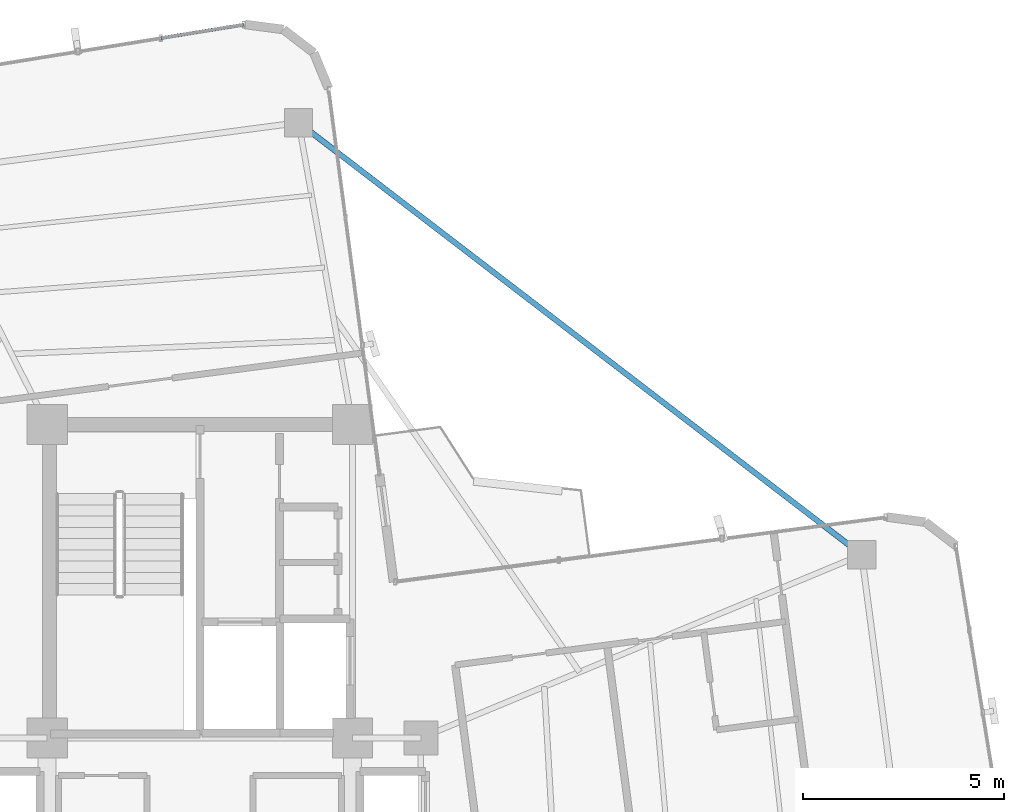
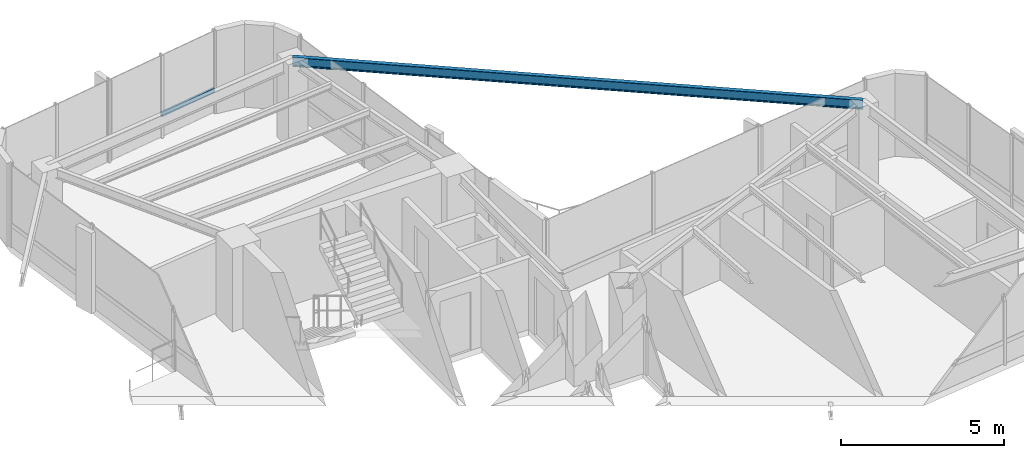
# One storey, part 15 of 22: 1 beam, 1 member, 1 element without a shape of its own.
"""IFC4 building model written with IfcOpenShell, lengths in metres."""

from ifc_helpers import new_model, si_unit, direction, frame, origin, origin_2d, place, context, subcontext, project, spatial, hollow_rectangle, i_section, extrude, source, transform, mapped, material, material_profile, profile_set, type_object, element, aggregate, save


model = new_model("IFC4")

# Units and contexts
model_context = context("Model", 3, precision=1e-05, world=origin(), true_north=direction((0.0, 1.0)))
body_context = subcontext(model_context, "Body", "Model", "MODEL_VIEW")
ifc_project = project(units=[si_unit("LENGTHUNIT", "METRE"), si_unit("AREAUNIT", "SQUARE_METRE"), si_unit("VOLUMEUNIT", "CUBIC_METRE"), si_unit("PLANEANGLEUNIT", "RADIAN"), si_unit("MASSUNIT", "GRAM", prefix="KILO")], contexts=[model_context])

# Site, building, storey
site_placement = place(None, origin())
site = spatial("IfcSite", under=ifc_project, at=site_placement, CompositionType="ELEMENT")
building_placement = place(site_placement, origin())
building = spatial("IfcBuilding", under=site, at=building_placement, Name="Sahyath Konkavel Grand Hotel", CompositionType="ELEMENT")
storey_placement = place(building_placement, frame((0.0, 0.0, 269.10009765625)))
storey = spatial("IfcBuildingStorey", under=building, at=storey_placement, Name="L75", CompositionType="ELEMENT", Elevation=269.10009765625)

# Beam
ifc_material_1 = material(Name="Steel E350", Category="steel")
ifc_material_profile_1 = material_profile(ifc_material_1, i_section(OverallWidth=0.139892578125, OverallDepth=0.35009765625, WebThickness=0.008056640625, FlangeThickness=0.01416015625, FilletRadius=0.013916015625, at=origin_2d()), Name="ISMB 350")
ifc_profile_set_1 = profile_set([ifc_material_profile_1], Name="Steel E350")
beam_type = type_object("IfcBeamType", Name="BM-ISMB350", PredefinedType="BEAM", material=ifc_profile_set_1)
shared_shape_1 = source(origin(), body_context, "Body", "SweptSolid", [
    extrude(i_section(OverallWidth=0.139892578125, OverallDepth=0.35009765625, WebThickness=0.008056640625, FlangeThickness=0.01416015625, FilletRadius=0.013916015625, at=origin_2d()), origin(), (0.0, 0.0, 1.0), 17.663330078125),
])
beam_placement = place(storey_placement, frame((16.472412109375, 6.959716796875, 2.934814453125), z_axis=(-0.793358692504, 0.608754453805, 0.0), x_axis=(-0.608754453805, -0.793358692504, 0.0)))
element("IfcBeam", 1, at=beam_placement, inside=storey, type_object=beam_type, Name="L75 Re-Entrant Tie Beam NE", PredefinedType="BEAM", context=body_context, shape_type="MappedRepresentation", body=[
    mapped(shared_shape_1, transform((0.0, 0.0, 0.0), scale=1.0)),
])

# Curtain wall, member
ifc_material_2 = material(Name="Anodised Bronze Aluminium & Low-E Glazing", Category="aluminium")
curtain_wall_type = type_object("IfcCurtainWallType", Name="CW-ZONE4", PredefinedType="NOTDEFINED", material=ifc_material_2)
curtain_wall_placement = place(storey_placement, origin())
curtain_wall = element("IfcCurtainWall", 2, at=curtain_wall_placement, inside=storey, type_object=curtain_wall_type, Name="L75 Unitised Curtain Wall F12", PredefinedType="NOTDEFINED")
ifc_material_3 = material(Name="Anodised Bronze Aluminium", Category="aluminium")
ifc_material_profile_2 = material_profile(ifc_material_3, hollow_rectangle(XDim=0.080078125, YDim=0.159912109375, WallThickness=0.006103515625, at=origin_2d()), Name="RHS 160x80x6")
ifc_profile_set_2 = profile_set([ifc_material_profile_2], Name="Anodised Bronze Aluminium")
member_type = type_object("IfcMemberType", Name="CW-TRN-160", PredefinedType="USERDEFINED", material=ifc_profile_set_2)
shared_shape_2 = source(origin(), body_context, "Body", "SweptSolid", [
    extrude(hollow_rectangle(XDim=0.080078125, YDim=0.159912109375, WallThickness=0.006103515625, at=origin_2d()), origin(), (0.0, 0.0, 1.0), 2.08740234375),
])
member_placement = place(storey_placement, frame((1.0888671875, 20.1533203125, 0.849853515625), z_axis=(-0.98719124923, -0.159541334591, 0.0), x_axis=(0.159541334591, -0.98719124923, 0.0)))
member = element("IfcMember", 3, at=member_placement, type_object=member_type, Name="L75 Curtain Wall Transom F12-0-spandrel", ObjectType="TRANSOM", PredefinedType="USERDEFINED", context=body_context, shape_type="MappedRepresentation", body=[
    mapped(shared_shape_2, transform((0.0, 0.0, 0.0), scale=1.0)),
])
aggregate(curtain_wall, [member])

save(model, "model.ifc")
